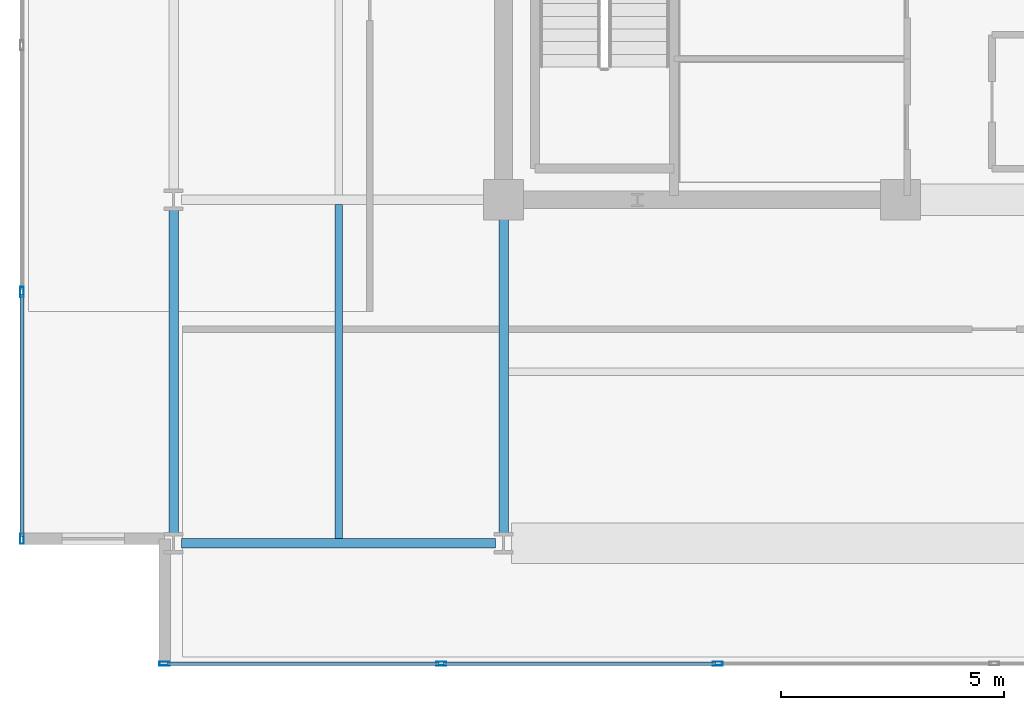
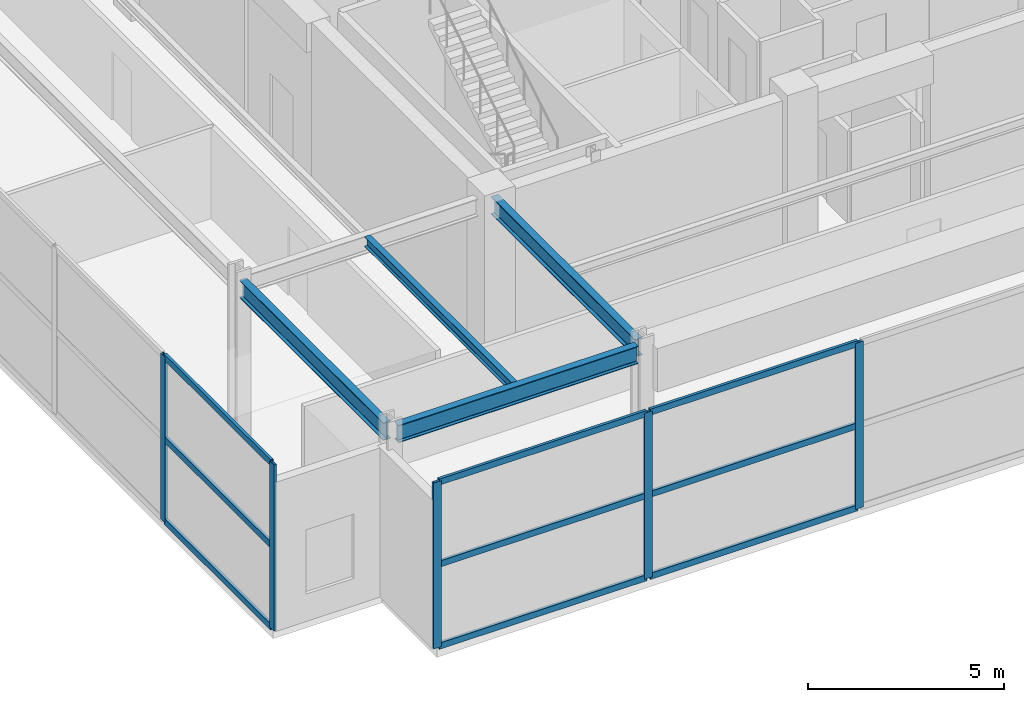
# One storey, part 2 of 24: 14 members, 4 beams, 2 elements without a shape of their own.
"""IFC4 building model written with IfcOpenShell, lengths in metres."""

from ifc_helpers import new_model, si_unit, direction, frame, origin, origin_2d, place, context, subcontext, project, spatial, hollow_rectangle, i_section, extrude, material, material_profile, profile_set, type_object, element, aggregate, save


model = new_model("IFC4")

# Units and contexts
model_context = context("Model", 3, precision=1e-05, world=origin(), true_north=direction((0.0, 1.0)))
body_context = subcontext(model_context, "Body", "Model", "MODEL_VIEW")
ifc_project = project(units=[si_unit("LENGTHUNIT", "METRE"), si_unit("AREAUNIT", "SQUARE_METRE"), si_unit("VOLUMEUNIT", "CUBIC_METRE"), si_unit("PLANEANGLEUNIT", "RADIAN"), si_unit("MASSUNIT", "GRAM", prefix="KILO")], contexts=[model_context])

# Site, building, storey
site_placement = place(None, origin())
site = spatial("IfcSite", under=ifc_project, at=site_placement, CompositionType="ELEMENT")
building_placement = place(site_placement, origin())
building = spatial("IfcBuilding", under=site, at=building_placement, Name="Kovane Verandah Tower", CompositionType="ELEMENT")
storey_placement = place(building_placement, frame((0.0, 0.0, 348.800048828125)))
storey = spatial("IfcBuildingStorey", under=building, at=storey_placement, Name="L81", CompositionType="ELEMENT", Elevation=348.800048828125)

# Beams
ifc_material_1 = material(Name="Steel S355", Category="steel")
ifc_material_profile_1 = material_profile(ifc_material_1, i_section(OverallWidth=0.2119140625, OverallDepth=0.54443359375, WebThickness=0.0126953125, FlangeThickness=0.021240234375, FilletRadius=0.0126953125, at=origin_2d()), Name="UB533x210x122")
ifc_profile_set_1 = profile_set([ifc_material_profile_1], Name="Steel S355")
beam_type_1 = type_object("IfcBeamType", Name="BM-UB533x122", PredefinedType="BEAM", material=ifc_profile_set_1)
beam_1_placement = place(storey_placement, frame((21.780029296875, 10.800048828125, 4.927734375), z_axis=(1.0, 0.0, 0.0), x_axis=(0.0, 1.0, 0.0)))
element("IfcBeam", 1, at=beam_1_placement, inside=storey, type_object=beam_type_1, Name="L81 Primary Tower Girder G-RS1", PredefinedType="BEAM", context=body_context, shape_type="SweptSolid", body=[
    extrude(i_section(OverallWidth=0.2119140625, OverallDepth=0.54443359375, WebThickness=0.0126953125, FlangeThickness=0.021240234375, FilletRadius=0.0126953125, at=origin_2d()), origin(), (0.0, 0.0, 1.0), 7.0400390625),
])
for number, where, z_axis, x_axis, name in (
    (2, (21.60009765625, 10.97998046875, 4.927734375), (0.0, 1.0, 0.0), (-1.0, 0.0, 0.0), "L81 Primary Tower Girder G-RW1"),
    (3, (29.0, 18.320068359375, 4.927734375), (0.0, -1.0, 0.0), (1.0, 0.0, 0.0), "L81 Primary Tower Girder G-S1"),
):
    element("IfcBeam", number, at=place(storey_placement, frame(where, z_axis=z_axis, x_axis=x_axis)), inside=storey, type_object=beam_type_1, Name=name, PredefinedType="BEAM", context=body_context, shape_type="SweptSolid", body=[
        extrude(i_section(OverallWidth=0.2119140625, OverallDepth=0.54443359375, WebThickness=0.0126953125, FlangeThickness=0.021240234375, FilletRadius=0.0126953125, at=origin_2d()), origin(), (0.0, 0.0, 1.0), 7.340087890625),
    ])

# Curtain wall, members
ifc_material_2 = material(Name="Champagne Anodised Aluminium Frame with Low-E Clear Laminated Glass", Category="aluminium")
curtain_wall_type = type_object("IfcCurtainWallType", Name="CW-SYS-06-CROWN", PredefinedType="NOTDEFINED", material=ifc_material_2)
curtain_wall_1_placement = place(storey_placement, origin())
curtain_wall_1 = element("IfcCurtainWall", 4, at=curtain_wall_1_placement, inside=storey, type_object=curtain_wall_type, Name="L81 S Unitised Curtain Wall", PredefinedType="NOTDEFINED")
ifc_material_3 = material(Name="Champagne Anodised Aluminium 6063-T6", Category="aluminium")
ifc_material_profile_2 = material_profile(ifc_material_3, hollow_rectangle(XDim=0.0849609375, YDim=0.22998046875, WallThickness=0.00390625, at=origin_2d()), Name="AL85x230x4")
ifc_profile_set_2 = profile_set([ifc_material_profile_2], Name="Champagne Anodised Aluminium 6063-T6")
member_type_1 = type_object("IfcMemberType", Name="CW-MUL-85x230", PredefinedType="MULLION", material=ifc_profile_set_2)
member_1_placement = place(storey_placement, frame((21.39990234375, 8.10009765625, 0.02001953125), z_axis=(0.0, 0.0, 1.0), x_axis=(0.0, -1.0, 0.0)))
member_1 = element("IfcMember", 5, at=member_1_placement, type_object=member_type_1, Name="L81 S Unitised Curtain Wall Mullion 1", PredefinedType="MULLION", context=body_context, shape_type="SweptSolid", body=[
    extrude(hollow_rectangle(XDim=0.0849609375, YDim=0.22998046875, WallThickness=0.00390625, at=origin_2d()), origin(), (0.0, 0.0, 1.0), 5.159912109375),
])
member_2_placement = place(storey_placement, frame((27.60009765625, 8.10009765625, 0.02001953125), z_axis=(0.0, 0.0, 1.0), x_axis=(0.0, -1.0, 0.0)))
member_2 = element("IfcMember", 6, at=member_2_placement, type_object=member_type_1, Name="L81 S Unitised Curtain Wall Mullion 2", PredefinedType="MULLION", context=body_context, shape_type="SweptSolid", body=[
    extrude(hollow_rectangle(XDim=0.0849609375, YDim=0.22998046875, WallThickness=0.00390625, at=origin_2d()), origin(), (0.0, 0.0, 1.0), 5.159912109375),
])
member_3_placement = place(storey_placement, frame((33.800048828125, 8.10009765625, 0.02001953125), z_axis=(0.0, 0.0, 1.0), x_axis=(0.0, -1.0, 0.0)))
member_3 = element("IfcMember", 7, at=member_3_placement, type_object=member_type_1, Name="L81 S Unitised Curtain Wall Mullion 3", PredefinedType="MULLION", context=body_context, shape_type="SweptSolid", body=[
    extrude(hollow_rectangle(XDim=0.0849609375, YDim=0.22998046875, WallThickness=0.00390625, at=origin_2d()), origin(), (0.0, 0.0, 1.0), 5.159912109375),
])

curtain_wall_2_placement = place(storey_placement, origin())
curtain_wall_2 = element("IfcCurtainWall", 8, at=curtain_wall_2_placement, inside=storey, type_object=curtain_wall_type, Name="L81 W Unitised Curtain Wall", PredefinedType="NOTDEFINED")
member_4_placement = place(storey_placement, frame((18.199951171875, 16.433349609375, 0.02001953125), z_axis=(0.0, 0.0, 1.0), x_axis=(-1.0, 0.0, 0.0)))
member_4 = element("IfcMember", 9, at=member_4_placement, type_object=member_type_1, Name="L81 W Unitised Curtain Wall Mullion 6", PredefinedType="MULLION", context=body_context, shape_type="SweptSolid", body=[
    extrude(hollow_rectangle(XDim=0.0849609375, YDim=0.22998046875, WallThickness=0.00390625, at=origin_2d()), origin(), (0.0, 0.0, 1.0), 5.159912109375),
])
member_5_placement = place(storey_placement, frame((18.199951171875, 10.89990234375, 0.02001953125), z_axis=(0.0, 0.0, 1.0), x_axis=(-1.0, 0.0, 0.0)))
member_5 = element("IfcMember", 10, at=member_5_placement, type_object=member_type_1, Name="L81 W Unitised Curtain Wall Mullion 7", PredefinedType="MULLION", context=body_context, shape_type="SweptSolid", body=[
    extrude(hollow_rectangle(XDim=0.0849609375, YDim=0.22998046875, WallThickness=0.00390625, at=origin_2d()), origin(), (0.0, 0.0, 1.0), 5.159912109375),
])

# Member
ifc_material_profile_3 = material_profile(ifc_material_3, hollow_rectangle(XDim=0.0849609375, YDim=0.18994140625, WallThickness=0.00390625, at=origin_2d()), Name="AL85x190x4")
ifc_profile_set_3 = profile_set([ifc_material_profile_3], Name="Champagne Anodised Aluminium 6063-T6")
member_type_2 = type_object("IfcMemberType", Name="CW-TRN-85x190", PredefinedType="USERDEFINED", material=ifc_profile_set_3)
member_6_placement = place(storey_placement, frame((21.449951171875, 8.10009765625, 0.050048828125), z_axis=(1.0, 0.0, 0.0), x_axis=(0.0, 1.0, 0.0)))
member_6 = element("IfcMember", 11, at=member_6_placement, type_object=member_type_2, Name="L81 S Unitised Curtain Wall Transom TB Bay 1", ObjectType="TRANSOM", PredefinedType="USERDEFINED", context=body_context, shape_type="SweptSolid", body=[
    extrude(hollow_rectangle(XDim=0.0849609375, YDim=0.18994140625, WallThickness=0.00390625, at=origin_2d()), origin(), (0.0, 0.0, 1.0), 6.10009765625),
])

member_7_placement = place(storey_placement, frame((21.449951171875, 8.10009765625, 2.599853515625), z_axis=(1.0, 0.0, 0.0), x_axis=(0.0, 1.0, 0.0)))
member_7 = element("IfcMember", 12, at=member_7_placement, type_object=member_type_2, Name="L81 S Unitised Curtain Wall Transom TM Bay 1", ObjectType="TRANSOM", PredefinedType="USERDEFINED", context=body_context, shape_type="SweptSolid", body=[
    extrude(hollow_rectangle(XDim=0.0849609375, YDim=0.18994140625, WallThickness=0.00390625, at=origin_2d()), origin(), (0.0, 0.0, 1.0), 6.10009765625),
])

member_8_placement = place(storey_placement, frame((21.449951171875, 8.10009765625, 5.14990234375), z_axis=(1.0, 0.0, 0.0), x_axis=(0.0, 1.0, 0.0)))
member_8 = element("IfcMember", 13, at=member_8_placement, type_object=member_type_2, Name="L81 S Unitised Curtain Wall Transom TT Bay 1", ObjectType="TRANSOM", PredefinedType="USERDEFINED", context=body_context, shape_type="SweptSolid", body=[
    extrude(hollow_rectangle(XDim=0.0849609375, YDim=0.18994140625, WallThickness=0.00390625, at=origin_2d()), origin(), (0.0, 0.0, 1.0), 6.10009765625),
])

member_9_placement = place(storey_placement, frame((27.64990234375, 8.10009765625, 0.050048828125), z_axis=(1.0, 0.0, 0.0), x_axis=(0.0, 1.0, 0.0)))
member_9 = element("IfcMember", 14, at=member_9_placement, type_object=member_type_2, Name="L81 S Unitised Curtain Wall Transom TB Bay 2", ObjectType="TRANSOM", PredefinedType="USERDEFINED", context=body_context, shape_type="SweptSolid", body=[
    extrude(hollow_rectangle(XDim=0.0849609375, YDim=0.18994140625, WallThickness=0.00390625, at=origin_2d()), origin(), (0.0, 0.0, 1.0), 6.10009765625),
])

member_10_placement = place(storey_placement, frame((27.64990234375, 8.10009765625, 2.599853515625), z_axis=(1.0, 0.0, 0.0), x_axis=(0.0, 1.0, 0.0)))
member_10 = element("IfcMember", 15, at=member_10_placement, type_object=member_type_2, Name="L81 S Unitised Curtain Wall Transom TM Bay 2", ObjectType="TRANSOM", PredefinedType="USERDEFINED", context=body_context, shape_type="SweptSolid", body=[
    extrude(hollow_rectangle(XDim=0.0849609375, YDim=0.18994140625, WallThickness=0.00390625, at=origin_2d()), origin(), (0.0, 0.0, 1.0), 6.10009765625),
])

member_11_placement = place(storey_placement, frame((27.64990234375, 8.10009765625, 5.14990234375), z_axis=(1.0, 0.0, 0.0), x_axis=(0.0, 1.0, 0.0)))
member_11 = element("IfcMember", 16, at=member_11_placement, type_object=member_type_2, Name="L81 S Unitised Curtain Wall Transom TT Bay 2", ObjectType="TRANSOM", PredefinedType="USERDEFINED", context=body_context, shape_type="SweptSolid", body=[
    extrude(hollow_rectangle(XDim=0.0849609375, YDim=0.18994140625, WallThickness=0.00390625, at=origin_2d()), origin(), (0.0, 0.0, 1.0), 6.10009765625),
])

aggregate(curtain_wall_1, [member_1, member_2, member_3, member_6, member_7, member_8, member_9, member_10, member_11])

member_12_placement = place(storey_placement, frame((18.199951171875, 16.38330078125, 0.050048828125), z_axis=(0.0, -1.0, 0.0), x_axis=(1.0, 0.0, 0.0)))
member_12 = element("IfcMember", 17, at=member_12_placement, type_object=member_type_2, Name="L81 W Unitised Curtain Wall Transom TB Bay 6", ObjectType="TRANSOM", PredefinedType="USERDEFINED", context=body_context, shape_type="SweptSolid", body=[
    extrude(hollow_rectangle(XDim=0.0849609375, YDim=0.18994140625, WallThickness=0.00390625, at=origin_2d()), origin(), (0.0, 0.0, 1.0), 5.433349609375),
])

member_13_placement = place(storey_placement, frame((18.199951171875, 16.38330078125, 2.599853515625), z_axis=(0.0, -1.0, 0.0), x_axis=(1.0, 0.0, 0.0)))
member_13 = element("IfcMember", 18, at=member_13_placement, type_object=member_type_2, Name="L81 W Unitised Curtain Wall Transom TM Bay 6", ObjectType="TRANSOM", PredefinedType="USERDEFINED", context=body_context, shape_type="SweptSolid", body=[
    extrude(hollow_rectangle(XDim=0.0849609375, YDim=0.18994140625, WallThickness=0.00390625, at=origin_2d()), origin(), (0.0, 0.0, 1.0), 5.433349609375),
])

member_14_placement = place(storey_placement, frame((18.199951171875, 16.38330078125, 5.14990234375), z_axis=(0.0, -1.0, 0.0), x_axis=(1.0, 0.0, 0.0)))
member_14 = element("IfcMember", 19, at=member_14_placement, type_object=member_type_2, Name="L81 W Unitised Curtain Wall Transom TT Bay 6", ObjectType="TRANSOM", PredefinedType="USERDEFINED", context=body_context, shape_type="SweptSolid", body=[
    extrude(hollow_rectangle(XDim=0.0849609375, YDim=0.18994140625, WallThickness=0.00390625, at=origin_2d()), origin(), (0.0, 0.0, 1.0), 5.433349609375),
])

aggregate(curtain_wall_2, [member_4, member_5, member_12, member_13, member_14])

# Beam
ifc_material_profile_4 = material_profile(ifc_material_1, i_section(OverallWidth=0.1669921875, OverallDepth=0.310302734375, WebThickness=0.0078125, FlangeThickness=0.013671875, FilletRadius=0.0087890625, at=origin_2d()), Name="UB305x165x54")
ifc_profile_set_4 = profile_set([ifc_material_profile_4], Name="Steel S355")
beam_type_2 = type_object("IfcBeamType", Name="JST-UB305x54", PredefinedType="JOIST", material=ifc_profile_set_4)
beam_2_placement = place(storey_placement, frame((25.300048828125, 10.904052734375, 5.044677734375), z_axis=(0.0, 1.0, 0.0), x_axis=(-1.0, 0.0, 0.0)))
element("IfcBeam", 20, at=beam_2_placement, inside=storey, type_object=beam_type_2, Name="L81 Secondary Composite Joist J-SW1", PredefinedType="JOIST", context=body_context, shape_type="SweptSolid", body=[
    extrude(i_section(OverallWidth=0.1669921875, OverallDepth=0.310302734375, WebThickness=0.0078125, FlangeThickness=0.013671875, FilletRadius=0.0087890625, at=origin_2d()), origin(), (0.0, 0.0, 1.0), 7.491943359375),
])

save(model, "model.ifc")
